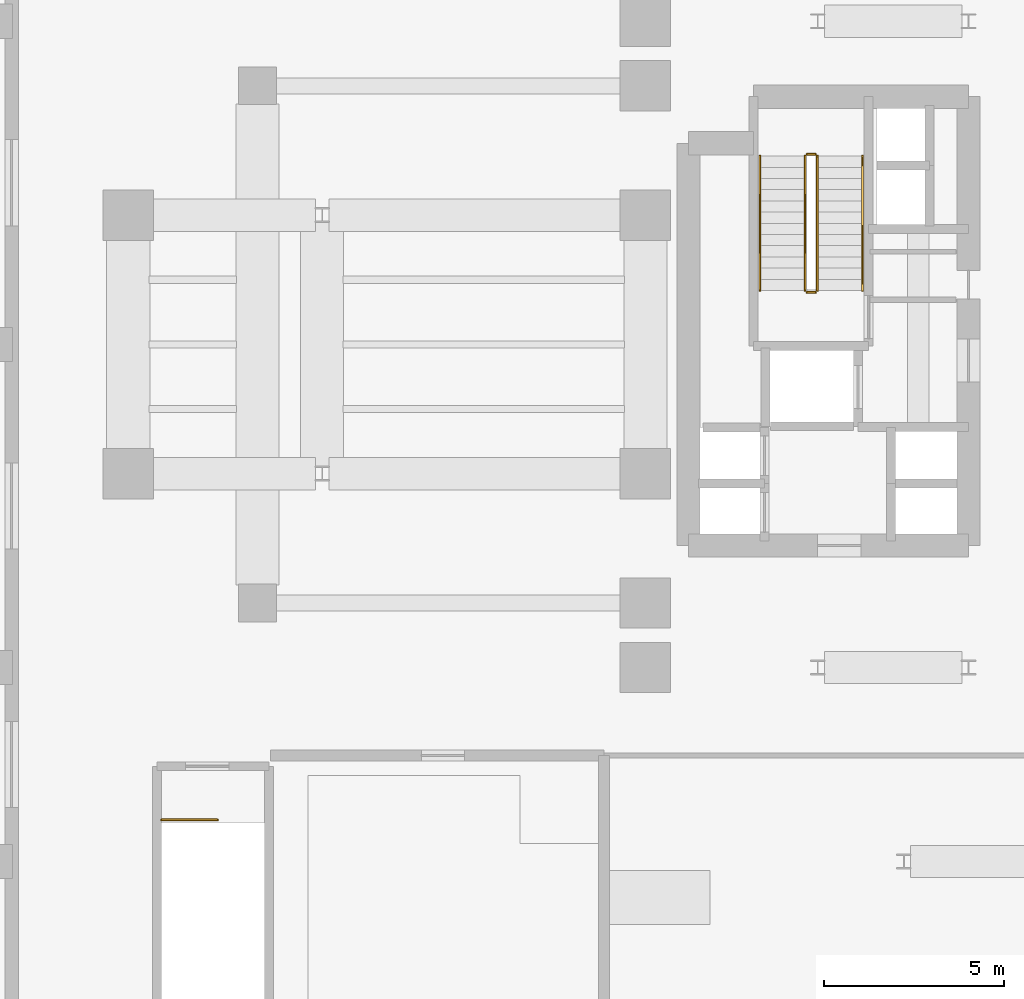
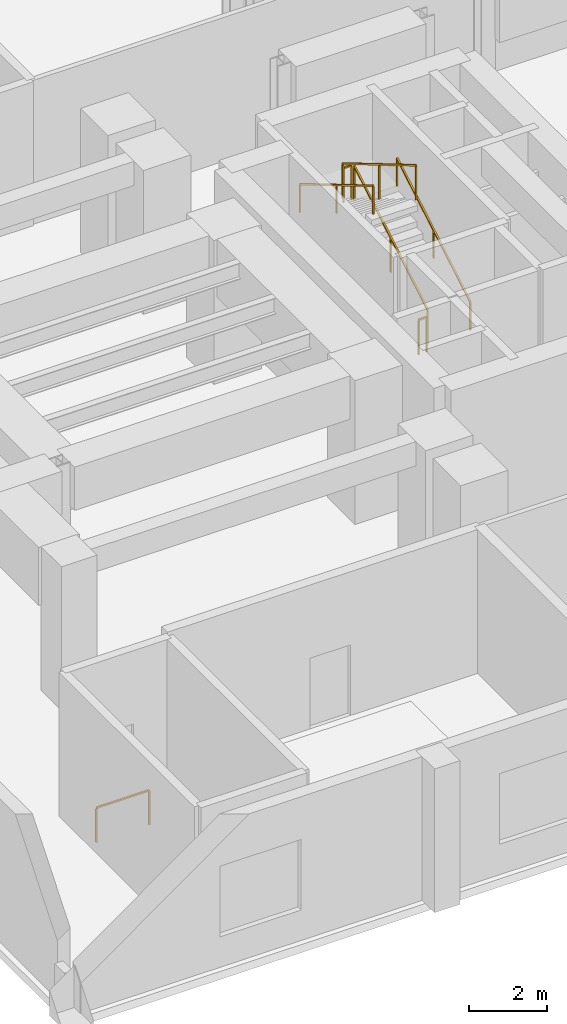
# One storey, part 12 of 13: 7 railings.
"""IFC4 building model written with IfcOpenShell, lengths in metres."""

from ifc_helpers import new_model, si_unit, direction, frame, origin, origin_2d, place, context, subcontext, project, spatial, rectangle, extrude, material, type_object, element, save


model = new_model("IFC4")

# Units and contexts
model_context = context("Model", 3, precision=1e-05, world=origin(), true_north=direction((0.0, 1.0)))
body_context = subcontext(model_context, "Body", "Model", "MODEL_VIEW")
ifc_project = project(units=[si_unit("LENGTHUNIT", "METRE"), si_unit("AREAUNIT", "SQUARE_METRE"), si_unit("VOLUMEUNIT", "CUBIC_METRE"), si_unit("PLANEANGLEUNIT", "RADIAN"), si_unit("MASSUNIT", "GRAM", prefix="KILO")], contexts=[model_context])

# Site, building, storey
site_placement = place(None, origin())
site = spatial("IfcSite", under=ifc_project, at=site_placement, CompositionType="ELEMENT")
building_placement = place(site_placement, origin())
building = spatial("IfcBuilding", under=site, at=building_placement, Name="Keilestroom Media Tower", CompositionType="ELEMENT")
storey_placement = place(building_placement, frame((0.0, 0.0, 20.39990234375)))
storey = spatial("IfcBuildingStorey", under=building, at=storey_placement, Name="L04", CompositionType="ELEMENT", Elevation=20.39990234375)

# Railings
ifc_material_1 = material(Name="Brushed Stainless Steel 1.4301", Category="steel")
railing_type_1 = type_object("IfcRailingType", Name="Stair-Pitch-Handrail-920", PredefinedType="HANDRAIL", material=ifc_material_1)
railing_1_placement = place(storey_placement, frame((-8.35009765625, 1.5, 0.184814453125)))
element("IfcRailing", 1, at=railing_1_placement, inside=storey, type_object=railing_type_1, Name="L04 ST-1 stair handrail 1", PredefinedType="HANDRAIL", context=body_context, shape_type="SweptSolid", body=[
    extrude(rectangle(XDim=0.048095703125, YDim=0.048095703125, at=origin_2d()), frame((0.0, 0.0, 0.8759765625), z_axis=(0.0, 0.860621358501, 0.509245399872), x_axis=(-1.0, 0.0, 0.0)), (0.0, 0.0, 1.0), 4.350341796875),
    extrude(rectangle(XDim=0.0419921875, YDim=0.0419921875, at=origin_2d()), origin(), (0.0, 0.0, 1.0), 0.84375),
    extrude(rectangle(XDim=0.0419921875, YDim=0.0419921875, at=origin_2d()), frame((0.0, 1.8720703125, 1.107666015625)), (0.0, 0.0, 1.0), 0.84375),
    extrude(rectangle(XDim=0.0419921875, YDim=0.0419921875, at=origin_2d()), frame((0.0, 3.743896484375, 2.21533203125)), (0.0, 0.0, 1.0), 0.84375),
])
railing_2_placement = place(storey_placement, frame((-11.2099609375, 5.243896484375, 2.584716796875)))
element("IfcRailing", 2, at=railing_2_placement, inside=storey, type_object=railing_type_1, Name="L04 ST-1 stair handrail 2", PredefinedType="HANDRAIL", context=body_context, shape_type="SweptSolid", body=[
    extrude(rectangle(XDim=0.048095703125, YDim=0.048095703125, at=origin_2d()), frame((0.0, 0.0, 0.8759765625), z_axis=(0.0, -0.860621358501, 0.509245399872), x_axis=(1.0, 0.0, 0.0)), (0.0, 0.0, 1.0), 4.350341796875),
    extrude(rectangle(XDim=0.0419921875, YDim=0.0419921875, at=origin_2d()), origin(), (0.0, 0.0, 1.0), 0.84375),
    extrude(rectangle(XDim=0.0419921875, YDim=0.0419921875, at=origin_2d()), frame((0.0, -1.8720703125, 1.107666015625)), (0.0, 0.0, 1.0), 0.84375),
    extrude(rectangle(XDim=0.0419921875, YDim=0.0419921875, at=origin_2d()), frame((0.0, -3.743896484375, 2.21533203125)), (0.0, 0.0, 1.0), 0.84375),
])
ifc_material_2 = material(Name="Painted Steel Balustrade", Category="steel")
railing_type_2 = type_object("IfcRailingType", Name="Stair-Well-And-Landing-Guard-1100", PredefinedType="GUARDRAIL", material=ifc_material_2)
railing_3_placement = place(storey_placement, frame((-9.610107421875, 1.5, 0.184814453125)))
element("IfcRailing", 3, at=railing_3_placement, inside=storey, type_object=railing_type_2, Name="L04 ST-1 stair guard 1", PredefinedType="GUARDRAIL", context=body_context, shape_type="SweptSolid", body=[
    extrude(rectangle(XDim=0.048095703125, YDim=0.048095703125, at=origin_2d()), frame((0.0, 0.0, 1.076171875), z_axis=(0.0, 0.860621358501, 0.509245399872), x_axis=(-1.0, 0.0, 0.0)), (0.0, 0.0, 1.0), 4.350341796875),
    extrude(rectangle(XDim=0.0419921875, YDim=0.0419921875, at=origin_2d()), origin(), (0.0, 0.0, 1.0), 1.0439453125),
    extrude(rectangle(XDim=0.0419921875, YDim=0.0419921875, at=origin_2d()), frame((0.0, 1.8720703125, 1.107666015625)), (0.0, 0.0, 1.0), 1.0439453125),
    extrude(rectangle(XDim=0.0419921875, YDim=0.0419921875, at=origin_2d()), frame((0.0, 3.743896484375, 2.21533203125)), (0.0, 0.0, 1.0), 1.0439453125),
])
railing_4_placement = place(storey_placement, frame((-9.659912109375, 5.2939453125, 2.400146484375)))
element("IfcRailing", 4, at=railing_4_placement, inside=storey, type_object=railing_type_2, Name="L04 ST-1 stair guard 2", PredefinedType="GUARDRAIL", context=body_context, shape_type="SweptSolid", body=[
    extrude(rectangle(XDim=0.048095703125, YDim=0.048095703125, at=origin_2d()), frame((0.0, 0.0, 1.076171875), z_axis=(-1.0, 0.0, 0.0), x_axis=(0.0, -1.0, 0.0)), (0.0, 0.0, 1.0), 0.239990234375),
    extrude(rectangle(XDim=0.0419921875, YDim=0.0419921875, at=origin_2d()), origin(), (0.0, 0.0, 1.0), 1.0439453125),
    extrude(rectangle(XDim=0.0419921875, YDim=0.0419921875, at=origin_2d()), frame((-0.239990234375, 0.0, 0.0)), (0.0, 0.0, 1.0), 1.0439453125),
])
railing_5_placement = place(storey_placement, frame((-9.949951171875, 5.243896484375, 2.584716796875)))
element("IfcRailing", 5, at=railing_5_placement, inside=storey, type_object=railing_type_2, Name="L04 ST-1 stair guard 3", PredefinedType="GUARDRAIL", context=body_context, shape_type="SweptSolid", body=[
    extrude(rectangle(XDim=0.048095703125, YDim=0.048095703125, at=origin_2d()), frame((0.0, 0.0, 1.076171875), z_axis=(0.0, -0.860621358501, 0.509245399872), x_axis=(1.0, 0.0, 0.0)), (0.0, 0.0, 1.0), 4.350341796875),
    extrude(rectangle(XDim=0.0419921875, YDim=0.0419921875, at=origin_2d()), origin(), (0.0, 0.0, 1.0), 1.0439453125),
    extrude(rectangle(XDim=0.0419921875, YDim=0.0419921875, at=origin_2d()), frame((0.0, -1.8720703125, 1.107666015625)), (0.0, 0.0, 1.0), 1.0439453125),
    extrude(rectangle(XDim=0.0419921875, YDim=0.0419921875, at=origin_2d()), frame((0.0, -3.743896484375, 2.21533203125)), (0.0, 0.0, 1.0), 1.0439453125),
])
railing_6_placement = place(storey_placement, frame((-9.659912109375, 1.449951171875, 0.0)))
element("IfcRailing", 6, at=railing_6_placement, inside=storey, type_object=railing_type_2, Name="L04 ST-1 stair guard 4", PredefinedType="GUARDRAIL", context=body_context, shape_type="SweptSolid", body=[
    extrude(rectangle(XDim=0.048095703125, YDim=0.048095703125, at=origin_2d()), frame((0.0, 0.0, 1.076171875), z_axis=(-1.0, 0.0, 0.0), x_axis=(0.0, -1.0, 0.0)), (0.0, 0.0, 1.0), 0.239990234375),
    extrude(rectangle(XDim=0.0419921875, YDim=0.0419921875, at=origin_2d()), origin(), (0.0, 0.0, 1.0), 1.0439453125),
    extrude(rectangle(XDim=0.0419921875, YDim=0.0419921875, at=origin_2d()), frame((-0.239990234375, 0.0, 0.0)), (0.0, 0.0, 1.0), 1.0439453125),
])
railing_7_placement = place(storey_placement, frame((-27.8798828125, -13.239990234375, 0.0)))
element("IfcRailing", 7, at=railing_7_placement, inside=storey, type_object=railing_type_2, Name="L04 ST-3 top well guard 1", PredefinedType="GUARDRAIL", context=body_context, shape_type="SweptSolid", body=[
    extrude(rectangle(XDim=0.048095703125, YDim=0.048095703125, at=origin_2d()), frame((0.0, 0.0, 1.076171875), z_axis=(1.0, 0.0, 0.0), x_axis=(0.0, 1.0, 0.0)), (0.0, 0.0, 1.0), 1.559814453125),
    extrude(rectangle(XDim=0.0419921875, YDim=0.0419921875, at=origin_2d()), origin(), (0.0, 0.0, 1.0), 1.0439453125),
    extrude(rectangle(XDim=0.0419921875, YDim=0.0419921875, at=origin_2d()), frame((1.559814453125, 0.0, 0.0)), (0.0, 0.0, 1.0), 1.0439453125),
])

save(model, "model.ifc")
